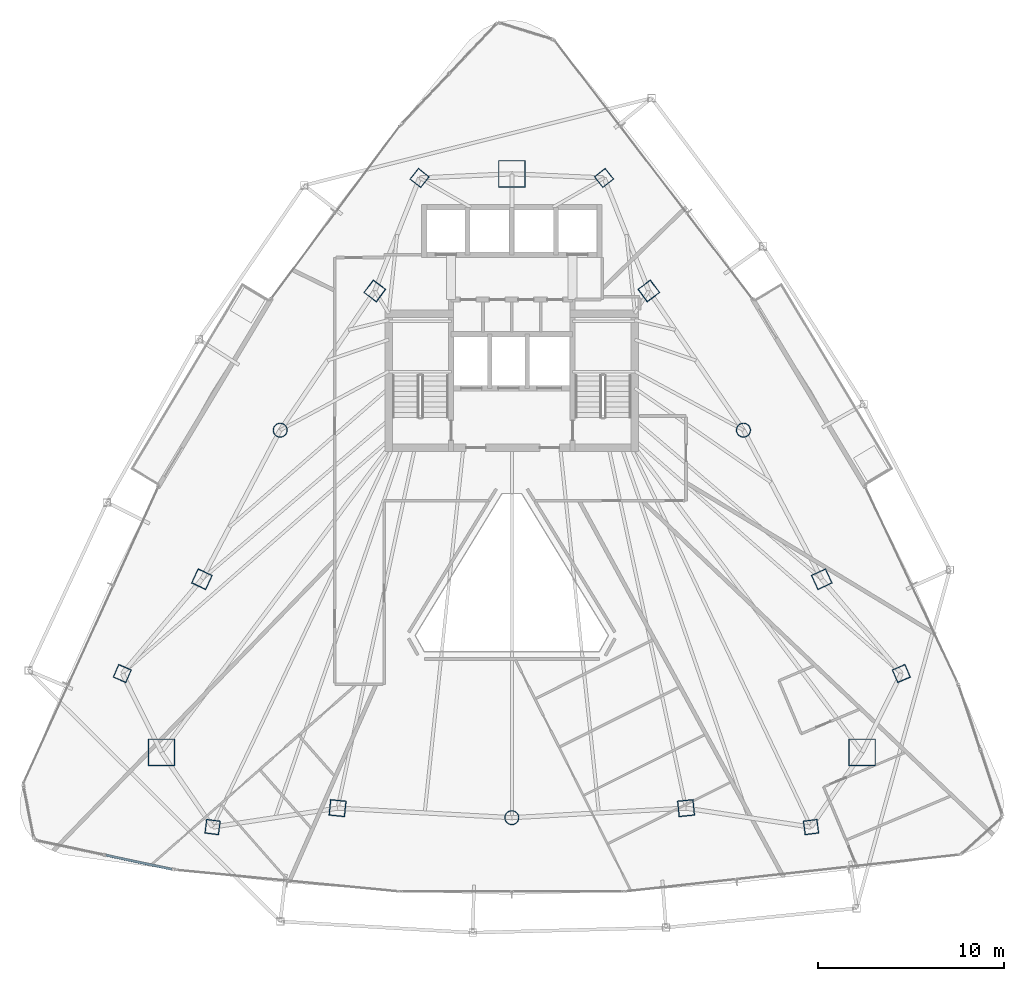
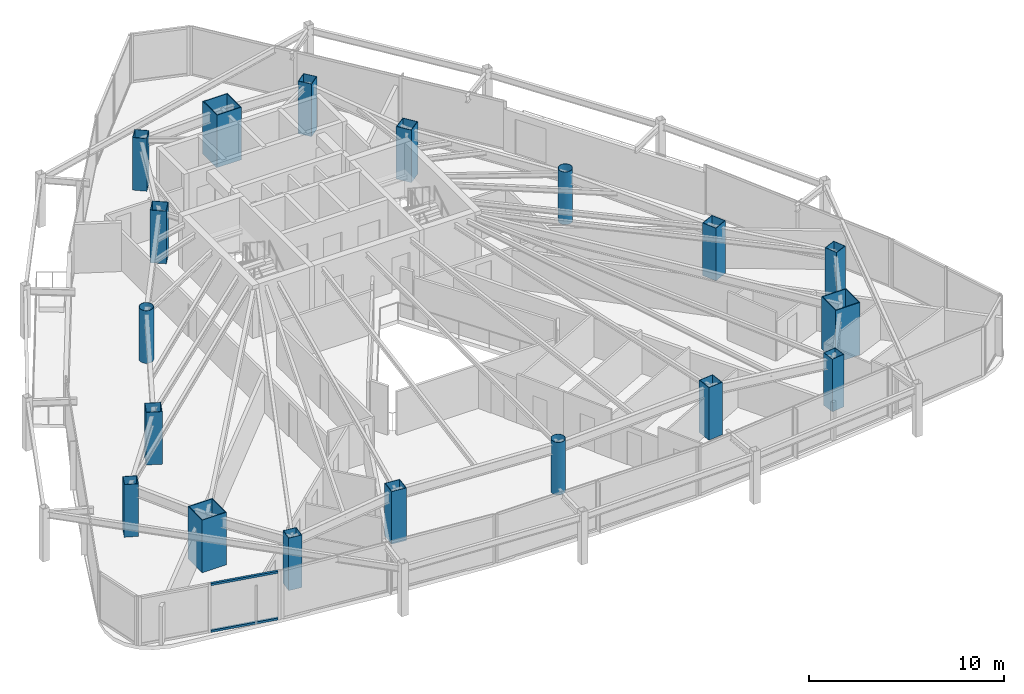
# One storey, part 1 of 31: 18 columns, 2 members, 1 element without a shape of its own.
"""IFC4 building model written with IfcOpenShell, lengths in metres."""

from ifc_helpers import new_model, si_unit, direction, frame, origin, origin_2d, place, context, subcontext, project, spatial, hollow_rectangle, hollow_circle, extrude, material, layer, layer_set, material_profile, profile_set, type_object, element, aggregate, save


model = new_model("IFC4")

# Units and contexts
model_context = context("Model", 3, precision=1e-05, world=origin(), true_north=direction((0.0, 1.0)))
body_context = subcontext(model_context, "Body", "Model", "MODEL_VIEW")
ifc_project = project(units=[si_unit("LENGTHUNIT", "METRE"), si_unit("AREAUNIT", "SQUARE_METRE"), si_unit("VOLUMEUNIT", "CUBIC_METRE"), si_unit("PLANEANGLEUNIT", "RADIAN"), si_unit("MASSUNIT", "GRAM", prefix="KILO")], contexts=[model_context])

# Site, building, storey
site_placement = place(None, origin())
site = spatial("IfcSite", under=ifc_project, at=site_placement, CompositionType="ELEMENT")
building_placement = place(site_placement, origin())
building = spatial("IfcBuilding", under=site, at=building_placement, Name="Orvanel Arch Residences", CompositionType="ELEMENT")
storey_placement = place(building_placement, frame((0.0, 0.0, 106.699951171875)))
storey = spatial("IfcBuildingStorey", under=building, at=storey_placement, Name="L29", CompositionType="ELEMENT", Elevation=106.699951171875)

# Columns
ifc_material_1 = material(Name="Structural steel AS/NZS 1163 C450L0 (Grade 450)", Category="steel")
ifc_material_profile_1 = material_profile(ifc_material_1, hollow_circle(Radius=0.381103515625, WallThickness=0.02197265625, at=origin_2d()), Name="CHS762x22")
ifc_profile_set_1 = profile_set([ifc_material_profile_1], Name="Structural steel AS/NZS 1163 C450L0 (Grade 450)")
column_type_1 = type_object("IfcColumnType", Name="CC-762", PredefinedType="COLUMN", material=ifc_profile_set_1)
for number, where, z_axis, x_axis, name in (
    (1, (20.569091796875, 27.64111328125, 0.0), (0.0, 0.0, 1.0), (1.0, 0.0, 0.0), "L29 High-Rise Tube Column 02"),
    (2, (33.0, 6.843994140625, 0.0), (0.0, 0.0, 1.0), (1.0, 0.0, 0.0), "L29 High-Rise Tube Column 05"),
    (3, (45.430908203125, 27.64111328125, 0.0), (0.0, 0.0, 1.0), (1.0, 0.0, 0.0), "L29 High-Rise Tube Column 08"),
):
    element("IfcColumn", number, at=place(storey_placement, frame(where, z_axis=z_axis, x_axis=x_axis)), inside=storey, type_object=column_type_1, Name=name, PredefinedType="COLUMN", context=body_context, shape_type="SweptSolid", body=[
        extrude(hollow_circle(Radius=0.381103515625, WallThickness=0.02197265625, at=origin_2d()), origin(), (0.0, 0.0, 1.0), 3.300048828125),
    ])
ifc_material_2 = material(Name="Structural steel AS/NZS 3678 Grade 450", Category="steel")
ifc_material_profile_2 = material_profile(ifc_material_2, hollow_rectangle(XDim=1.449951171875, YDim=1.449951171875, WallThickness=0.044921875, at=origin_2d()), Name="BOX1450x1450x45")
ifc_profile_set_2 = profile_set([ifc_material_profile_2], Name="Structural steel AS/NZS 3678 Grade 450")
column_type_2 = type_object("IfcColumnType", Name="MC-1450", PredefinedType="COLUMN", material=ifc_profile_set_2)
for number, where, z_axis, x_axis, name in (
    (4, (33.0, 41.39794921875, 0.0), (0.0, 0.0, 1.0), (1.0, 0.0, 0.0), "L29 Corner Mega-Column 1"),
    (5, (14.198974609375, 10.35107421875, 0.0), (0.0, 0.0, 1.0), (1.0, 0.0, 0.0), "L29 Corner Mega-Column 2"),
    (6, (51.801025390625, 10.35107421875, 0.0), (0.0, 0.0, 1.0), (1.0, 0.0, 0.0), "L29 Corner Mega-Column 3"),
):
    element("IfcColumn", number, at=place(storey_placement, frame(where, z_axis=z_axis, x_axis=x_axis)), inside=storey, type_object=column_type_2, Name=name, PredefinedType="COLUMN", context=body_context, shape_type="SweptSolid", body=[
        extrude(hollow_rectangle(XDim=1.449951171875, YDim=1.449951171875, WallThickness=0.044921875, at=origin_2d()), origin(), (0.0, 0.0, 1.0), 3.300048828125),
    ])
ifc_material_3 = material(Name="Structural steel AS/NZS 3678 Grade 350", Category="steel")
ifc_material_profile_3 = material_profile(ifc_material_3, hollow_rectangle(XDim=0.75, YDim=0.75, WallThickness=0.02490234375, at=origin_2d()), Name="BOX750x750x25")
ifc_profile_set_3 = profile_set([ifc_material_profile_3], Name="Structural steel AS/NZS 3678 Grade 350")
column_type_3 = type_object("IfcColumnType", Name="TC-750", PredefinedType="COLUMN", material=ifc_profile_set_3)
for number, where, z_axis, x_axis, name in (
    (7, (28.050048828125, 41.177978515625, 0.0), (0.0, 0.0, 1.0), (0.623879596709, 0.781520472419, 0.0), "L29 Mid-Rise Buttress Tube Column 01"),
    (8, (12.094970703125, 14.580078125, 0.0), (0.0, 0.0, 1.0), (0.397147890635, 0.917754625684, 0.0), "L29 Mid-Rise Buttress Tube Column 02"),
    (9, (16.94091796875, 6.339111328125, 0.0), (0.0, 0.0, 1.0), (-0.99189444259, 0.127064608601, 0.0), "L29 Mid-Rise Buttress Tube Column 03"),
    (10, (49.05908203125, 6.339111328125, 0.0), (0.0, 0.0, 1.0), (0.99189444259, 0.127064608601, 0.0), "L29 Mid-Rise Buttress Tube Column 04"),
    (11, (53.905029296875, 14.580078125, 0.0), (0.0, 0.0, 1.0), (-0.397147890635, 0.917754625684, 0.0), "L29 Mid-Rise Buttress Tube Column 05"),
    (12, (37.949951171875, 41.177978515625, 0.0), (0.0, 0.0, 1.0), (-0.623879596709, 0.781520472419, 0.0), "L29 Mid-Rise Buttress Tube Column 06"),
):
    element("IfcColumn", number, at=place(storey_placement, frame(where, z_axis=z_axis, x_axis=x_axis)), inside=storey, type_object=column_type_3, Name=name, PredefinedType="COLUMN", context=body_context, shape_type="SweptSolid", body=[
        extrude(hollow_rectangle(XDim=0.75, YDim=0.75, WallThickness=0.02490234375, at=origin_2d()), origin(), (0.0, 0.0, 1.0), 3.300048828125),
    ])
ifc_material_profile_4 = material_profile(ifc_material_3, hollow_rectangle(XDim=0.85009765625, YDim=0.85009765625, WallThickness=0.028076171875, at=origin_2d()), Name="BOX850x850x28")
ifc_profile_set_4 = profile_set([ifc_material_profile_4], Name="Structural steel AS/NZS 3678 Grade 350")
column_type_4 = type_object("IfcColumnType", Name="TC-850", PredefinedType="COLUMN", material=ifc_profile_set_4)
for number, where, z_axis, x_axis, name in (
    (13, (25.64794921875, 35.113037109375, 0.0), (0.0, 0.0, 1.0), (0.600420225326, 0.799684658487, 0.0), "L29 High-Rise Tube Column 01"),
    (14, (16.366943359375, 19.64208984375, 0.0), (0.0, 0.0, 1.0), (0.422618261741, 0.906307787037, 0.0), "L29 High-Rise Tube Column 03"),
    (15, (23.64892578125, 7.35498046875, 0.0), (0.0, 0.0, 1.0), (-0.994880708829, 0.101056297183, 0.0), "L29 High-Rise Tube Column 04"),
    (16, (42.35107421875, 7.35498046875, 0.0), (0.0, 0.0, 1.0), (0.994880708829, 0.101056297183, 0.0), "L29 High-Rise Tube Column 06"),
    (17, (49.633056640625, 19.64208984375, 0.0), (0.0, 0.0, 1.0), (-0.422618261741, 0.906307787037, 0.0), "L29 High-Rise Tube Column 07"),
    (18, (40.35205078125, 35.113037109375, 0.0), (0.0, 0.0, 1.0), (-0.600420225326, 0.799684658487, 0.0), "L29 High-Rise Tube Column 09"),
):
    element("IfcColumn", number, at=place(storey_placement, frame(where, z_axis=z_axis, x_axis=x_axis)), inside=storey, type_object=column_type_4, Name=name, PredefinedType="COLUMN", context=body_context, shape_type="SweptSolid", body=[
        extrude(hollow_rectangle(XDim=0.85009765625, YDim=0.85009765625, WallThickness=0.028076171875, at=origin_2d()), origin(), (0.0, 0.0, 1.0), 3.300048828125),
    ])

# Curtain wall, members
ifc_material_4 = material(Name="Bronze-anodised aluminium AA6063-T6", Category="aluminium")
ifc_layer = layer(ifc_material_4, 0.18994140625)
ifc_layer_set = layer_set([ifc_layer], Name="Bronze-anodised aluminium AA6063-T6")
curtain_wall_type = type_object("IfcCurtainWallType", Name="CW5-CRN-SYS", PredefinedType="NOTDEFINED", material=ifc_layer_set)
curtain_wall_placement = place(storey_placement, origin())
curtain_wall = element("IfcCurtainWall", 19, at=curtain_wall_placement, inside=storey, type_object=curtain_wall_type, Name="L29 CW5-CRN-SYS Unitised Curtain Wall", PredefinedType="NOTDEFINED")
ifc_material_profile_5 = material_profile(ifc_material_4, hollow_rectangle(XDim=0.1298828125, YDim=0.1298828125, WallThickness=0.00439453125, at=origin_2d()), Name="ALU130x130x4.5")
ifc_profile_set_5 = profile_set([ifc_material_profile_5], Name="Bronze-anodised aluminium AA6063-T6")
member_type = type_object("IfcMemberType", Name="TRN-130x130", PredefinedType="USERDEFINED", material=ifc_profile_set_5)
member_1_placement = place(storey_placement, frame((11.219970703125, 4.830810546875, 0.06494140625), z_axis=(0.978063003679, -0.208309291282, 0.0), x_axis=(0.208309291282, 0.978063003679, 0.0)))
member_1 = element("IfcMember", 20, at=member_1_placement, type_object=member_type, Name="CW-S5 transom 2.1", ObjectType="TRANSOM", PredefinedType="USERDEFINED", context=body_context, shape_type="SweptSolid", body=[
    extrude(hollow_rectangle(XDim=0.1298828125, YDim=0.1298828125, WallThickness=0.00439453125, at=origin_2d()), origin(), (0.0, 0.0, 1.0), 3.622802734375),
])
member_2_placement = place(storey_placement, frame((11.219970703125, 4.830810546875, 2.9951171875), z_axis=(0.978063003679, -0.208309291282, 0.0), x_axis=(0.208309291282, 0.978063003679, 0.0)))
member_2 = element("IfcMember", 21, at=member_2_placement, type_object=member_type, Name="CW-S5 transom 2.2", ObjectType="TRANSOM", PredefinedType="USERDEFINED", context=body_context, shape_type="SweptSolid", body=[
    extrude(hollow_rectangle(XDim=0.1298828125, YDim=0.1298828125, WallThickness=0.00439453125, at=origin_2d()), origin(), (0.0, 0.0, 1.0), 3.622802734375),
])
aggregate(curtain_wall, [member_1, member_2])

save(model, "model.ifc")
